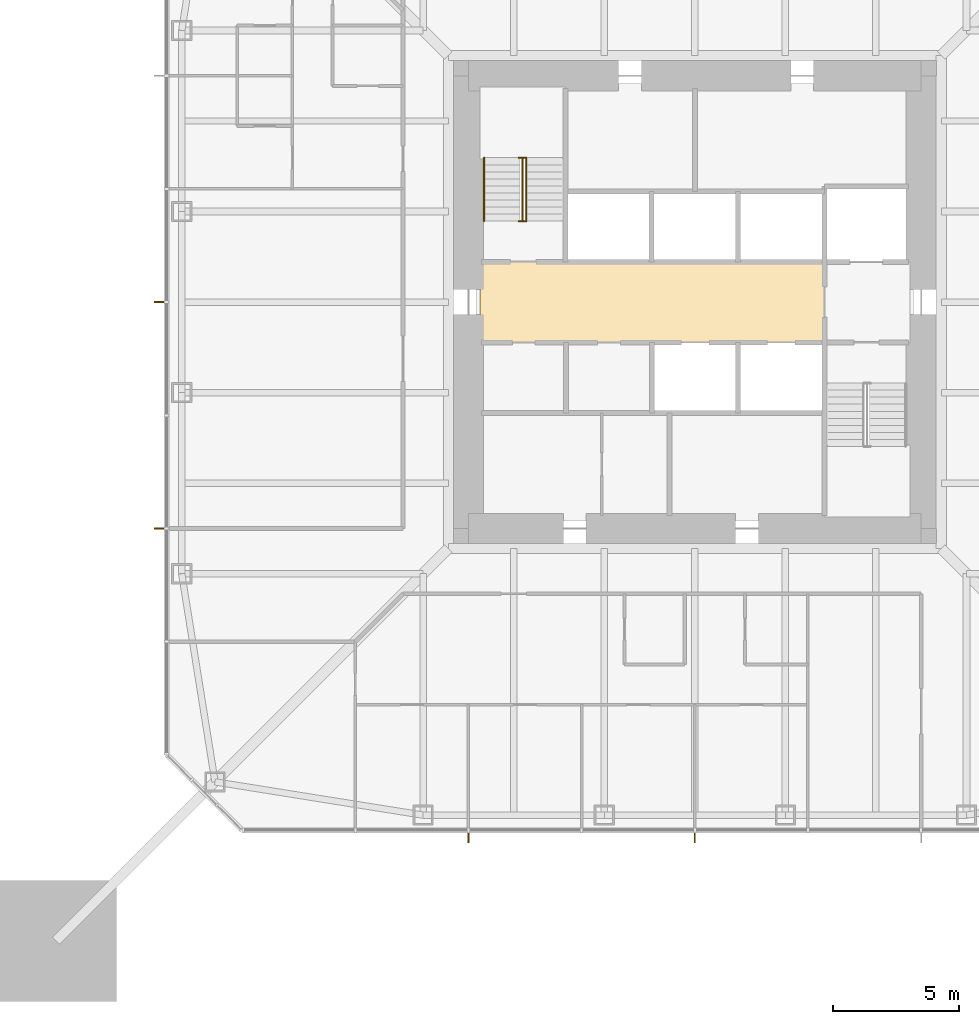
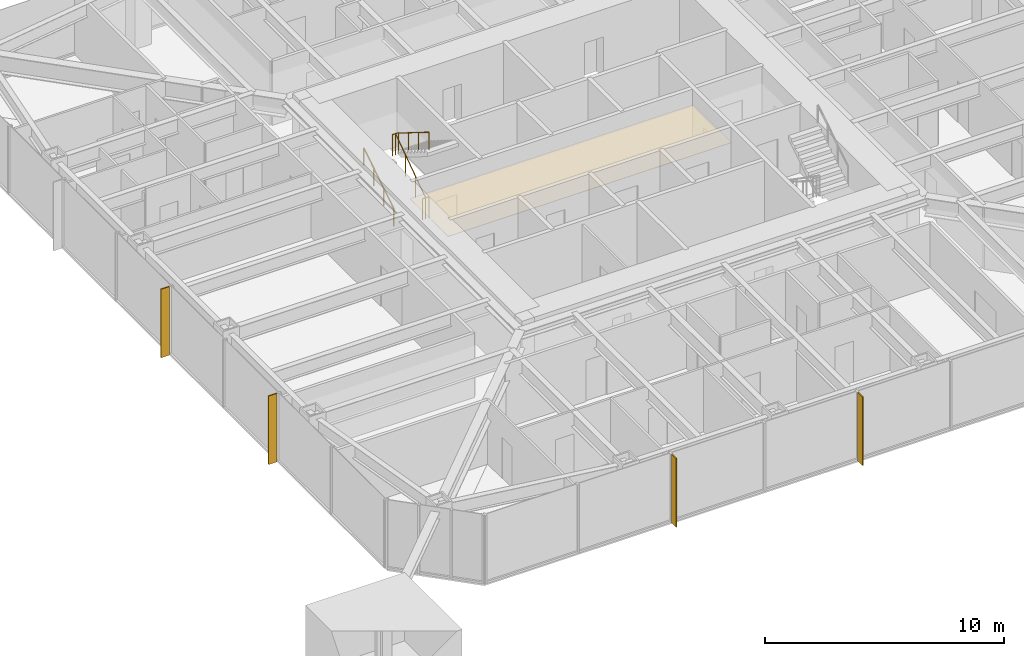
# One storey, part 19 of 23: 4 shading devices, 3 railings, 1 covering.
"""IFC4 building model written with IfcOpenShell, lengths in metres."""

from ifc_helpers import new_model, si_unit, direction, frame, origin, origin_2d, place, context, subcontext, project, spatial, polyline, rectangle, circle, outline, extrude, material, layer, layer_set, constituent, constituent_set, type_object, element, save


model = new_model("IFC4")

# Units and contexts
model_context = context("Model", 3, precision=1e-05, world=origin(), true_north=direction((0.0, 1.0)))
body_context = subcontext(model_context, "Body", "Model", "MODEL_VIEW")
ifc_project = project(units=[si_unit("LENGTHUNIT", "METRE"), si_unit("AREAUNIT", "SQUARE_METRE"), si_unit("VOLUMEUNIT", "CUBIC_METRE"), si_unit("PLANEANGLEUNIT", "RADIAN"), si_unit("MASSUNIT", "GRAM", prefix="KILO")], contexts=[model_context])

# Site, building, storey
site_placement = place(None, origin())
site = spatial("IfcSite", under=ifc_project, at=site_placement, CompositionType="ELEMENT")
building_placement = place(site_placement, origin())
building = spatial("IfcBuilding", under=site, at=building_placement, Name="Iwan Alto Co-Living Towers", CompositionType="ELEMENT")
storey_placement = place(building_placement, frame((0.0, 0.0, 122.5)))
storey = spatial("IfcBuildingStorey", under=building, at=storey_placement, Name="L33", CompositionType="ELEMENT", Elevation=122.5)

# Covering
ifc_material_1 = material(Name="Mineral fibre acoustic tiles on steel grid", Category="steel")
ifc_layer_1 = layer(ifc_material_1, 0.02001953125)
ifc_layer_set_1 = layer_set([ifc_layer_1], Name="ACOUSTIC TILE CEILING 20")
covering_type = type_object("IfcCoveringType", Name="ACOUSTIC TILE CEILING 20", PredefinedType="CEILING", material=ifc_layer_set_1)
covering_placement = place(storey_placement, frame((0.0, 0.0, 2.60009765625)))
element("IfcCovering", 1, at=covering_placement, inside=storey, type_object=covering_type, Name="Ceiling Lift lobby L33", PredefinedType="CEILING", context=body_context, shape_type="SweptSolid", body=[
    extrude(outline(polyline([(-8.550048828125, -1.60009765625), (-8.550048828125, 1.60009765625), (5.14990234375, 1.60009765625), (5.14990234375, -1.60009765625), (-8.550048828125, -1.60009765625)])), origin(), (0.0, 0.0, 1.0), 0.02001953125),
])

# Shading devices
ifc_material_2 = material(Name="Aluminium 6063-T6 bronze anodised", Category="aluminium")
ifc_layer_2 = layer(ifc_material_2, 0.050048828125)
ifc_layer_set_2 = layer_set([ifc_layer_2], Name="BRONZE FIN 50X400")
shading_device_type = type_object("IfcShadingDeviceType", Name="BRONZE FIN 50X400", PredefinedType="USERDEFINED", material=ifc_layer_set_2)
for number, where, z_axis, x_axis, name in (
    (2, (-9.0, -21.300048828125, 0.0), (0.0, 0.0, 1.0), (1.0, 0.0, 0.0), "Bronze fin L33"),
    (3, (0.0, -21.300048828125, 0.0), (0.0, 0.0, 1.0), (1.0, 0.0, 0.0), "Bronze fin L33"),
    (4, (-21.300048828125, 0.0, 0.0), (0.0, 0.0, 1.0), (0.0, -1.0, 0.0), "Bronze fin L33"),
    (5, (-21.300048828125, -9.0, 0.0), (0.0, 0.0, 1.0), (0.0, -1.0, 0.0), "Bronze fin L33"),
):
    element("IfcShadingDevice", number, at=place(storey_placement, frame(where, z_axis=z_axis, x_axis=x_axis)), inside=storey, type_object=shading_device_type, Name=name, ObjectType="LOUVER", PredefinedType="USERDEFINED", context=body_context, shape_type="SweptSolid", body=[
        extrude(rectangle(XDim=0.050048828125, YDim=0.39990234375, at=origin_2d()), origin(), (0.0, 0.0, 1.0), 3.5),
    ])

# Railings
ifc_material_3 = material(Name="Steel ASTM A500 Gr C", Category="steel")
ifc_constituent_1 = constituent(ifc_material_3, Name="Rails and posts", Category="Framing")
ifc_material_4 = material(Name="Steel ASTM A36", Category="steel")
ifc_constituent_2 = constituent(ifc_material_4, Name="Bar infill", Category="Infill")
ifc_constituent_set = constituent_set(constituents=[ifc_constituent_1, ifc_constituent_2], Name="STAIR GUARD 1100")
railing_type_1 = type_object("IfcRailingType", Name="STAIR GUARD 1100", PredefinedType="GUARDRAIL", material=ifc_constituent_set)
railing_1_placement = place(storey_placement, frame((-6.85009765625, 3.219970703125, 0.0)))
element("IfcRailing", 6, at=railing_1_placement, inside=storey, type_object=railing_type_1, Name="Stair T1-S1 well guard L33", PredefinedType="GUARDRAIL", context=body_context, shape_type="SweptSolid", body=[
    extrude(circle(Radius=0.02392578125, at=origin_2d()), frame((0.0, 0.0, 1.076171875), z_axis=(0.0, 0.821372036852, 0.570392826987), x_axis=(-1.0, 0.0, 0.0)), (0.0, 0.0, 1.0), 3.068115234375),
    extrude(circle(Radius=0.02392578125, at=origin_2d()), frame((-0.14990234375, 0.0, 1.076171875), z_axis=(1.0, 0.0, 0.0), x_axis=(0.0, 1.0, 0.0)), (0.0, 0.0, 1.0), 0.300048828125),
    extrude(circle(Radius=0.02392578125, at=origin_2d()), frame((-0.14990234375, 2.52001953125, 2.826171875), z_axis=(1.0, 0.0, 0.0), x_axis=(0.0, 1.0, 0.0)), (0.0, 0.0, 1.0), 0.300048828125),
    extrude(circle(Radius=0.02099609375, at=origin_2d()), origin(), (0.0, 0.0, 1.0), 1.052001953125),
    extrude(circle(Radius=0.02099609375, at=origin_2d()), frame((0.0, 0.840087890625, 0.583251953125)), (0.0, 0.0, 1.0), 1.052001953125),
    extrude(circle(Radius=0.02099609375, at=origin_2d()), frame((0.0, 1.679931640625, 1.166748046875)), (0.0, 0.0, 1.0), 1.052001953125),
    extrude(circle(Radius=0.02099609375, at=origin_2d()), frame((0.0, 2.52001953125, 1.75)), (0.0, 0.0, 1.0), 1.052001953125),
    extrude(circle(Radius=0.02099609375, at=origin_2d()), frame((-0.14990234375, 0.0, 0.0)), (0.0, 0.0, 1.0), 1.052001953125),
    extrude(circle(Radius=0.02099609375, at=origin_2d()), frame((0.150146484375, 0.0, 0.0)), (0.0, 0.0, 1.0), 1.052001953125),
    extrude(circle(Radius=0.02099609375, at=origin_2d()), frame((-0.14990234375, 2.52001953125, 1.75)), (0.0, 0.0, 1.0), 1.052001953125),
    extrude(circle(Radius=0.02099609375, at=origin_2d()), frame((0.150146484375, 2.52001953125, 1.75)), (0.0, 0.0, 1.0), 1.052001953125),
])
ifc_material_5 = material(Name="Steel ASTM A500 Gr C", Category="steel")
railing_type_2 = type_object("IfcRailingType", Name="STAIR HANDRAIL 900", PredefinedType="HANDRAIL", material=ifc_material_5)
railing_2_placement = place(storey_placement, frame((-8.3798828125, 3.219970703125, 0.175048828125)))
element("IfcRailing", 7, at=railing_2_placement, inside=storey, type_object=railing_type_2, Name="Stair T1-S1 handrail 1 L33", PredefinedType="HANDRAIL", context=body_context, shape_type="SweptSolid", body=[
    extrude(circle(Radius=0.02392578125, at=origin_2d()), frame((0.0, 0.0, 0.8759765625), z_axis=(0.0, 0.848007534815, 0.529984170421), x_axis=(-1.0, 0.0, 0.0)), (0.0, 0.0, 1.0), 2.9716796875),
    extrude(circle(Radius=0.02099609375, at=origin_2d()), origin(), (0.0, 0.0, 1.0), 0.851806640625),
    extrude(circle(Radius=0.02099609375, at=origin_2d()), frame((0.0, 0.840087890625, 0.52490234375)), (0.0, 0.0, 1.0), 0.851806640625),
    extrude(circle(Radius=0.02099609375, at=origin_2d()), frame((0.0, 1.679931640625, 1.050048828125)), (0.0, 0.0, 1.0), 0.851806640625),
    extrude(circle(Radius=0.02099609375, at=origin_2d()), frame((0.0, 2.52001953125, 1.574951171875)), (0.0, 0.0, 1.0), 0.851806640625),
])
railing_3_placement = place(storey_placement, frame((-6.699951171875, 5.739990234375, 1.925048828125)))
element("IfcRailing", 8, at=railing_3_placement, inside=storey, type_object=railing_type_2, Name="Stair T1-S1 handrail 2 L33", PredefinedType="HANDRAIL", context=body_context, shape_type="SweptSolid", body=[
    extrude(circle(Radius=0.02392578125, at=origin_2d()), frame((0.0, 0.0, 0.8759765625), z_axis=(0.0, -0.848007534815, 0.529984170421), x_axis=(1.0, 0.0, 0.0)), (0.0, 0.0, 1.0), 2.9716796875),
    extrude(circle(Radius=0.02099609375, at=origin_2d()), origin(), (0.0, 0.0, 1.0), 0.851806640625),
    extrude(circle(Radius=0.02099609375, at=origin_2d()), frame((0.0, -0.840087890625, 0.52490234375)), (0.0, 0.0, 1.0), 0.851806640625),
    extrude(circle(Radius=0.02099609375, at=origin_2d()), frame((0.0, -1.679931640625, 1.050048828125)), (0.0, 0.0, 1.0), 0.851806640625),
    extrude(circle(Radius=0.02099609375, at=origin_2d()), frame((0.0, -2.52001953125, 1.574951171875)), (0.0, 0.0, 1.0), 0.851806640625),
])

save(model, "model.ifc")
